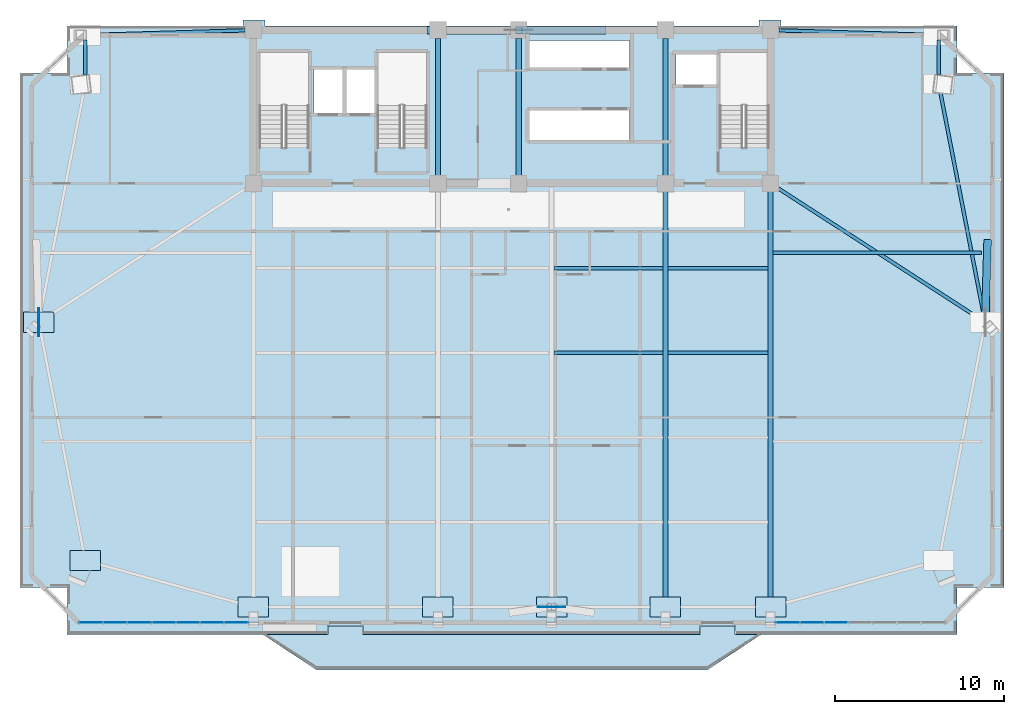
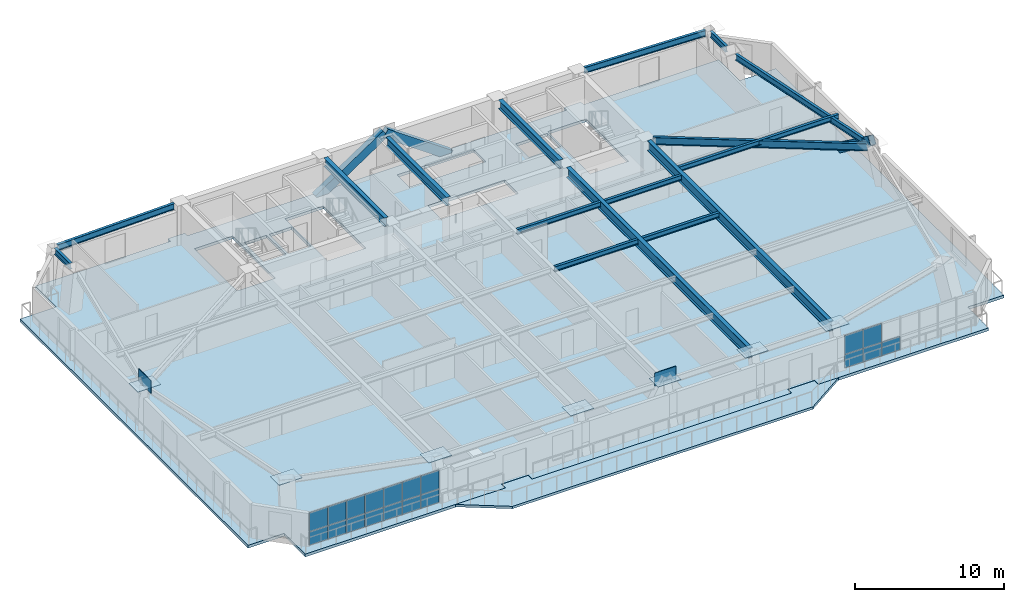
# One storey, part 6 of 16: 28 plates, 16 beams, 3 members, 2 slabs, 2 elements without a shape of their own.
"""IFC4 building model written with IfcOpenShell, lengths in metres."""

from ifc_helpers import new_model, si_unit, direction, frame, origin, origin_2d, place, context, subcontext, project, spatial, polyline, rectangle, hollow_rectangle, i_section, outline, extrude, source, transform, mapped, material, layer, layer_set, material_profile, profile_set, type_object, element, aggregate, save


model = new_model("IFC4")

# Units and contexts
model_context = context("Model", 3, precision=1e-05, world=origin(), true_north=direction((0.0, 1.0)))
body_context = subcontext(model_context, "Body", "Model", "MODEL_VIEW")
ifc_project = project(units=[si_unit("LENGTHUNIT", "METRE"), si_unit("AREAUNIT", "SQUARE_METRE"), si_unit("VOLUMEUNIT", "CUBIC_METRE"), si_unit("PLANEANGLEUNIT", "RADIAN"), si_unit("MASSUNIT", "GRAM", prefix="KILO")], contexts=[model_context])

# Site, building, storey
site_placement = place(None, origin())
site = spatial("IfcSite", under=ifc_project, at=site_placement, CompositionType="ELEMENT")
building_placement = place(site_placement, origin())
building = spatial("IfcBuilding", under=site, at=building_placement, Name="Giltprow Tower", CompositionType="ELEMENT")
storey_placement = place(building_placement, frame((0.0, 0.0, 209.699951171875)))
storey = spatial("IfcBuildingStorey", under=building, at=storey_placement, Name="L53", CompositionType="ELEMENT", Elevation=209.699951171875)

# Beams
ifc_material_1 = material(Name="Structural steel Q355B", Category="steel")
ifc_material_profile_1 = material_profile(ifc_material_1, i_section(OverallWidth=0.300048828125, OverallDepth=0.699951171875, WebThickness=0.012939453125, FlangeThickness=0.02392578125, at=origin_2d()), Name="HN 700x300x13x24")
ifc_profile_set_1 = profile_set([ifc_material_profile_1], Name="Structural steel Q355B")
beam_type_1 = type_object("IfcBeamType", Name="BM-GIRD-HN700", PredefinedType="BEAM", material=ifc_profile_set_1)
shared_shape_1 = source(origin(), body_context, "Body", "SweptSolid", [
    extrude(i_section(OverallWidth=0.300048828125, OverallDepth=0.699951171875, WebThickness=0.012939453125, FlangeThickness=0.02392578125, at=origin_2d()), origin(), (0.0, 0.0, 1.0), 8.1298828125),
])
for number, where, z_axis, x_axis, name in (
    (1, (30.800048828125, 37.93505859375, 2.920166015625), (0.0, 1.0, 0.0), (-1.0, 0.0, 0.0), "L53 Core Tie Girder M1"),
    (2, (35.60009765625, 37.93505859375, 2.920166015625), (0.0, 1.0, 0.0), (-1.0, 0.0, 0.0), "L53 Core Tie Girder M2"),
    (3, (44.300048828125, 37.93505859375, 2.920166015625), (0.0, 1.0, 0.0), (-1.0, 0.0, 0.0), "L53 Core Tie Girder M3"),
):
    element("IfcBeam", number, at=place(storey_placement, frame(where, z_axis=z_axis, x_axis=x_axis)), inside=storey, type_object=beam_type_1, Name=name, PredefinedType="BEAM", context=body_context, shape_type="MappedRepresentation", body=[
        mapped(shared_shape_1, transform((0.0, 0.0, 0.0), x_axis=(1.0, 0.0, 0.0), y_axis=(0.0, 1.0, 0.0), z_axis=(0.0, 0.0, 1.0), scale=1.0)),
    ])
ifc_material_profile_2 = material_profile(ifc_material_1, i_section(OverallWidth=0.199951171875, OverallDepth=0.39990234375, WebThickness=0.008056640625, FlangeThickness=0.012939453125, at=origin_2d()), Name="HN 400x200x8x13")
ifc_profile_set_2 = profile_set([ifc_material_profile_2], Name="Structural steel Q355B")
beam_type_2 = type_object("IfcBeamType", Name="BM-JOIST-HN400", PredefinedType="JOIST", material=ifc_profile_set_2)
shared_shape_2 = source(origin(), body_context, "Body", "SweptSolid", [
    extrude(i_section(OverallWidth=0.199951171875, OverallDepth=0.39990234375, WebThickness=0.008056640625, FlangeThickness=0.012939453125, at=origin_2d()), origin(), (0.0, 0.0, 1.0), 6.4599609375),
])
for number, where, z_axis, x_axis, name in (
    (4, (37.695068359375, 27.39697265625, 3.070068359375), (1.0, 0.0, 0.0), (0.0, 1.0, 0.0), "L53 Composite Floor Joist 3-3"),
    (5, (37.695068359375, 32.424072265625, 3.070068359375), (1.0, 0.0, 0.0), (0.0, 1.0, 0.0), "L53 Composite Floor Joist 4-3"),
):
    element("IfcBeam", number, at=place(storey_placement, frame(where, z_axis=z_axis, x_axis=x_axis)), inside=storey, type_object=beam_type_2, Name=name, PredefinedType="JOIST", context=body_context, shape_type="MappedRepresentation", body=[
        mapped(shared_shape_2, transform((0.0, 0.0, 0.0), x_axis=(1.0, 0.0, 0.0), y_axis=(0.0, 1.0, 0.0), z_axis=(0.0, 0.0, 1.0), scale=1.0)),
    ])
shared_shape_3 = source(origin(), body_context, "Body", "SweptSolid", [
    extrude(i_section(OverallWidth=0.199951171875, OverallDepth=0.39990234375, WebThickness=0.008056640625, FlangeThickness=0.012939453125, at=origin_2d()), origin(), (0.0, 0.0, 1.0), 5.9599609375),
])
for number, where, z_axis, x_axis, name in (
    (6, (44.445068359375, 27.39697265625, 3.070068359375), (1.0, 0.0, 0.0), (0.0, 1.0, 0.0), "L53 Composite Floor Joist 3-4"),
    (7, (44.445068359375, 32.424072265625, 3.070068359375), (1.0, 0.0, 0.0), (0.0, 1.0, 0.0), "L53 Composite Floor Joist 4-4"),
):
    element("IfcBeam", number, at=place(storey_placement, frame(where, z_axis=z_axis, x_axis=x_axis)), inside=storey, type_object=beam_type_2, Name=name, PredefinedType="JOIST", context=body_context, shape_type="MappedRepresentation", body=[
        mapped(shared_shape_3, transform((0.0, 0.0, 0.0), x_axis=(1.0, 0.0, 0.0), y_axis=(0.0, 1.0, 0.0), z_axis=(0.0, 0.0, 1.0), scale=1.0)),
    ])
ifc_material_profile_3 = material_profile(ifc_material_1, i_section(OverallWidth=0.199951171875, OverallDepth=0.5, WebThickness=0.010009765625, FlangeThickness=0.01611328125, at=origin_2d()), Name="HN 500x200x10x16")
ifc_profile_set_3 = profile_set([ifc_material_profile_3], Name="Structural steel Q355B")
beam_type_3 = type_object("IfcBeamType", Name="BM-SPAN-HN500", PredefinedType="SPANDREL", material=ifc_profile_set_3)
shared_shape_4 = source(origin(), body_context, "Body", "SweptSolid", [
    extrude(i_section(OverallWidth=0.199951171875, OverallDepth=0.5, WebThickness=0.010009765625, FlangeThickness=0.01611328125, at=origin_2d()), origin(), (0.0, 0.0, 1.0), 13.582763671875),
])
beam_1_placement = place(storey_placement, frame((63.22802734375, 29.489013671875, 3.02001953125), z_axis=(-0.191281458671, 0.98153522788, 0.0), x_axis=(-0.98153522788, -0.191281458671, 0.0)))
element("IfcBeam", 8, at=beam_1_placement, inside=storey, type_object=beam_type_3, Name="L53 Perimeter Spandrel Beam E_MID-MC_NE", PredefinedType="SPANDREL", context=body_context, shape_type="MappedRepresentation", body=[
    mapped(shared_shape_4, transform((0.0, 0.0, 0.0), x_axis=(1.0, 0.0, 0.0), y_axis=(0.0, 1.0, 0.0), z_axis=(0.0, 0.0, 1.0), scale=1.0)),
])
shared_shape_5 = source(origin(), body_context, "Body", "SweptSolid", [
    extrude(i_section(OverallWidth=0.199951171875, OverallDepth=0.5, WebThickness=0.010009765625, FlangeThickness=0.01611328125, at=origin_2d()), origin(), (0.0, 0.0, 1.0), 2.083984375),
])
for number, where, z_axis, x_axis, name in (
    (9, (60.528076171875, 43.881103515625, 3.02001953125), (0.0, 1.0, 0.0), (-1.0, 0.0, 0.0), "L53 Perimeter Spandrel Beam MC_NE-N_E"),
    (10, (9.8720703125, 45.965087890625, 3.02001953125), (0.0, -1.0, 0.0), (1.0, 0.0, 0.0), "L53 Perimeter Spandrel Beam N_W-MC_NW"),
):
    element("IfcBeam", number, at=place(storey_placement, frame(where, z_axis=z_axis, x_axis=x_axis)), inside=storey, type_object=beam_type_3, Name=name, PredefinedType="SPANDREL", context=body_context, shape_type="MappedRepresentation", body=[
        mapped(shared_shape_5, transform((0.0, 0.0, 0.0), x_axis=(1.0, 0.0, 0.0), y_axis=(0.0, 1.0, 0.0), z_axis=(0.0, 0.0, 1.0), scale=1.0)),
    ])
shared_shape_6 = source(origin(), body_context, "Body", "SweptSolid", [
    extrude(i_section(OverallWidth=0.199951171875, OverallDepth=0.5, WebThickness=0.010009765625, FlangeThickness=0.01611328125, at=origin_2d()), origin(), (0.0, 0.0, 1.0), 9.212158203125),
])
for number, where, z_axis, x_axis, name in (
    (11, (10.156982421875, 46.259033203125, 3.02001953125), (0.999551478387, 0.029947321311, 0.0), (-0.029947321311, 0.999551478387, 0.0), "L53 North Wing Spandrel W"),
    (12, (51.034912109375, 46.534912109375, 3.02001953125), (0.999551478387, -0.029947321311, 0.0), (0.029947321311, 0.999551478387, 0.0), "L53 North Wing Spandrel E"),
):
    element("IfcBeam", number, at=place(storey_placement, frame(where, z_axis=z_axis, x_axis=x_axis)), inside=storey, type_object=beam_type_3, Name=name, PredefinedType="SPANDREL", context=body_context, shape_type="MappedRepresentation", body=[
        mapped(shared_shape_6, transform((0.0, 0.0, 0.0), x_axis=(1.0, 0.0, 0.0), y_axis=(0.0, 1.0, 0.0), z_axis=(0.0, 0.0, 1.0), scale=1.0)),
    ])
ifc_material_profile_4 = material_profile(ifc_material_1, i_section(OverallWidth=0.300048828125, OverallDepth=0.800048828125, WebThickness=0.013916015625, FlangeThickness=0.02587890625, at=origin_2d()), Name="HN 800x300x14x26")
ifc_profile_set_4 = profile_set([ifc_material_profile_4], Name="Structural steel Q355B")
beam_type_4 = type_object("IfcBeamType", Name="BM-GIRD-HN800", PredefinedType="BEAM", material=ifc_profile_set_4)
shared_shape_7 = source(origin(), body_context, "Body", "SweptSolid", [
    extrude(i_section(OverallWidth=0.300048828125, OverallDepth=0.800048828125, WebThickness=0.013916015625, FlangeThickness=0.02587890625, at=origin_2d()), origin(), (0.0, 0.0, 1.0), 24.362060546875),
])
for number, where, z_axis, x_axis, name in (
    (13, (44.300048828125, 12.60302734375, 2.8701171875), (0.0, 1.0, 0.0), (-1.0, 0.0, 0.0), "L53 Primary Lease Girder S3"),
    (14, (50.550048828125, 12.60302734375, 2.8701171875), (0.0, 1.0, 0.0), (-1.0, 0.0, 0.0), "L53 Primary Lease Girder S4"),
):
    element("IfcBeam", number, at=place(storey_placement, frame(where, z_axis=z_axis, x_axis=x_axis)), inside=storey, type_object=beam_type_4, Name=name, PredefinedType="BEAM", context=body_context, shape_type="MappedRepresentation", body=[
        mapped(shared_shape_7, transform((0.0, 0.0, 0.0), x_axis=(1.0, 0.0, 0.0), y_axis=(0.0, 1.0, 0.0), z_axis=(0.0, 0.0, 1.0), scale=1.0)),
    ])
ifc_material_profile_5 = material_profile(ifc_material_1, i_section(OverallWidth=0.199951171875, OverallDepth=0.60009765625, WebThickness=0.010986328125, FlangeThickness=0.01708984375, at=origin_2d()), Name="HN 600x200x11x17")
ifc_profile_set_5 = profile_set([ifc_material_profile_5], Name="Structural steel Q355B")
beam_type_5 = type_object("IfcBeamType", Name="BM-GIRD-HN600", PredefinedType="BEAM", material=ifc_profile_set_5)
shared_shape_8 = source(origin(), body_context, "Body", "SweptSolid", [
    extrude(i_section(OverallWidth=0.199951171875, OverallDepth=0.60009765625, WebThickness=0.010986328125, FlangeThickness=0.01708984375, at=origin_2d()), origin(), (0.0, 0.0, 1.0), 14.396240234375),
])
beam_2_placement = place(storey_placement, frame((63.04296875, 29.364013671875, 2.969970703125), z_axis=(-0.839516009713, 0.543334951422, 0.0), x_axis=(-0.543334951422, -0.839516009713, 0.0)))
element("IfcBeam", 15, at=beam_2_placement, inside=storey, type_object=beam_type_5, Name="L53 East Wing Primary Girder", PredefinedType="BEAM", context=body_context, shape_type="MappedRepresentation", body=[
    mapped(shared_shape_8, transform((0.0, 0.0, 0.0), x_axis=(1.0, 0.0, 0.0), y_axis=(0.0, 1.0, 0.0), z_axis=(0.0, 0.0, 1.0), scale=1.0)),
])
shared_shape_9 = source(origin(), body_context, "Body", "SweptSolid", [
    extrude(i_section(OverallWidth=0.199951171875, OverallDepth=0.39990234375, WebThickness=0.008056640625, FlangeThickness=0.012939453125, at=origin_2d()), origin(), (0.0, 0.0, 1.0), 12.366943359375),
])
beam_3_placement = place(storey_placement, frame((50.695068359375, 33.330078125, 3.070068359375), z_axis=(1.0, 0.0, 0.0), x_axis=(0.0, 1.0, 0.0)))
element("IfcBeam", 16, at=beam_3_placement, inside=storey, type_object=beam_type_2, Name="L53 East Wing Floor Joist 2", PredefinedType="JOIST", context=body_context, shape_type="MappedRepresentation", body=[
    mapped(shared_shape_9, transform((0.0, 0.0, 0.0), x_axis=(1.0, 0.0, 0.0), y_axis=(0.0, 1.0, 0.0), z_axis=(0.0, 0.0, 1.0), scale=1.0)),
])

# Members
ifc_material_2 = material(Name="Structural steel Q420GJC", Category="steel")
ifc_material_profile_6 = material_profile(ifc_material_2, hollow_rectangle(XDim=0.449951171875, YDim=0.699951171875, WallThickness=0.031982421875, at=origin_2d()), Name="RHS 700x450x32")
ifc_profile_set_6 = profile_set([ifc_material_profile_6], Name="Structural steel Q420GJC")
member_type = type_object("IfcMemberType", Name="MBR-MEGA-RHS700", PredefinedType="BRACE", material=ifc_profile_set_6)
shared_shape_10 = source(origin(), body_context, "Body", "SweptSolid", [
    extrude(hollow_rectangle(XDim=0.449951171875, YDim=0.699951171875, WallThickness=0.031982421875, at=origin_2d()), origin(), (0.0, 0.0, 1.0), 6.309814453125),
])
member_1_placement = place(storey_placement, frame((30.35009765625, 46.550048828125, -0.139892578125), z_axis=(0.832050294338, 0.0, 0.554700196225), x_axis=(0.0, 1.0, 0.0)))
element("IfcMember", 17, at=member_1_placement, inside=storey, type_object=member_type, Name="L53 Chevron Mega-Brace N-L", PredefinedType="BRACE", context=body_context, shape_type="MappedRepresentation", body=[
    mapped(shared_shape_10, transform((0.0, 0.0, 0.0), x_axis=(1.0, 0.0, 0.0), y_axis=(0.0, 1.0, 0.0), z_axis=(0.0, 0.0, 1.0), scale=1.0)),
])
shared_shape_11 = source(origin(), body_context, "Body", "SweptSolid", [
    extrude(hollow_rectangle(XDim=0.449951171875, YDim=0.699951171875, WallThickness=0.031982421875, at=origin_2d()), origin(), (0.0, 0.0, 1.0), 6.08935546875),
])
member_2_placement = place(storey_placement, frame((40.5830078125, 46.550048828125, -0.139892578125), z_axis=(-0.818307902219, 0.0, 0.574780112014), x_axis=(0.0, -1.0, 0.0)))
element("IfcMember", 18, at=member_2_placement, inside=storey, type_object=member_type, Name="L53 Chevron Mega-Brace N-R", PredefinedType="BRACE", context=body_context, shape_type="MappedRepresentation", body=[
    mapped(shared_shape_11, transform((0.0, 0.0, 0.0), x_axis=(1.0, 0.0, 0.0), y_axis=(0.0, 1.0, 0.0), z_axis=(0.0, 0.0, 1.0), scale=1.0)),
])
shared_shape_12 = source(origin(), body_context, "Body", "SweptSolid", [
    extrude(hollow_rectangle(XDim=0.449951171875, YDim=0.699951171875, WallThickness=0.031982421875, at=origin_2d()), origin(), (0.0, 0.0, 1.0), 5.859375),
])
member_3_placement = place(storey_placement, frame((63.4208984375, 33.906005859375, 0.0), z_axis=(-0.023708667192, -0.801636288399, 0.597341744918), x_axis=(0.999562936284, -0.029562415445, 0.0)))
element("IfcMember", 19, at=member_3_placement, inside=storey, type_object=member_type, Name="L53 Chevron Mega-Brace E-R", PredefinedType="BRACE", context=body_context, shape_type="MappedRepresentation", body=[
    mapped(shared_shape_12, transform((0.0, 0.0, 0.0), x_axis=(1.0, 0.0, 0.0), y_axis=(0.0, 1.0, 0.0), z_axis=(0.0, 0.0, 1.0), scale=1.0)),
])

# Slabs
ifc_material_3 = material(Name="Concrete C40", Category="concrete")
ifc_layer_1 = layer(ifc_material_3, 0.199951171875, Name="Concrete C40")
ifc_layer_set_1 = layer_set([ifc_layer_1], Name="Concrete C40")
slab_type_1 = type_object("IfcSlabType", Name="SLB-BALC-BRONZE-200", PredefinedType="FLOOR", material=ifc_layer_set_1)
slab_1_placement = place(storey_placement, frame((0.0, 0.0, -0.199951171875)))
element("IfcSlab", 20, at=slab_1_placement, inside=storey, type_object=slab_type_1, Name="L53 Bronze Prow Waterfront Balcony Slab", PredefinedType="FLOOR", context=body_context, shape_type="SweptSolid", body=[
    extrude(outline(polyline([(50.0, 10.68603515625), (46.800048828125, 8.5859375), (23.60009765625, 8.5859375), (20.39990234375, 10.68603515625), (24.280029296875, 10.68603515625), (24.280029296875, 11.18603515625), (26.320068359375, 11.18603515625), (26.320068359375, 10.68603515625), (46.3798828125, 10.68603515625), (46.3798828125, 11.18603515625), (48.419921875, 11.18603515625), (48.419921875, 10.68603515625), (50.0, 10.68603515625)])), origin(), (0.0, 0.0, 1.0), 0.199951171875),
])
ifc_layer_2 = layer(ifc_material_3, 0.22998046875, Name="Concrete C40")
ifc_layer_set_2 = layer_set([ifc_layer_2], Name="Concrete C40")
slab_type_2 = type_object("IfcSlabType", Name="SLB-HTL-230", PredefinedType="FLOOR", material=ifc_layer_set_2)
slab_2_placement = place(storey_placement, frame((0.0, 0.0, -0.22998046875)))
element("IfcSlab", 21, at=slab_2_placement, inside=storey, type_object=slab_type_2, Name="L53 Structural Composite Floor Slab", PredefinedType="FLOOR", context=body_context, shape_type="SweptSolid", body=[
    extrude(outline(polyline([(64.39794921875, 44.0), (64.39794921875, 13.486083984375), (61.597900390625, 13.486083984375), (61.597900390625, 10.68603515625), (48.449951171875, 10.68603515625), (48.449951171875, 11.2060546875), (46.35009765625, 11.2060546875), (46.35009765625, 10.68603515625), (26.35009765625, 10.68603515625), (26.35009765625, 11.2060546875), (24.25, 11.2060546875), (24.25, 10.68603515625), (8.802978515625, 10.68603515625), (8.802978515625, 13.486083984375), (6.0029296875, 13.486083984375), (6.0029296875, 44.0), (8.802978515625, 44.0), (8.802978515625, 46.800048828125), (19.25, 46.800048828125), (19.25, 47.14990234375), (20.550048828125, 47.14990234375), (20.550048828125, 46.800048828125), (49.85009765625, 46.800048828125), (49.85009765625, 47.14990234375), (51.14990234375, 47.14990234375), (51.14990234375, 46.800048828125), (61.597900390625, 46.800048828125), (61.597900390625, 44.0), (64.39794921875, 44.0)]), holes=[polyline([(42.169921875, 41.800048828125), (36.239990234375, 41.800048828125), (36.239990234375, 40.0), (42.169921875, 40.0), (42.169921875, 41.800048828125)]), polyline([(23.159912109375, 39.570068359375), (23.159912109375, 45.25), (20.199951171875, 45.25), (20.199951171875, 39.570068359375), (23.159912109375, 39.570068359375)]), polyline([(30.159912109375, 39.570068359375), (30.159912109375, 45.25), (27.199951171875, 45.25), (27.199951171875, 39.570068359375), (30.159912109375, 39.570068359375)]), polyline([(50.4599609375, 45.25), (47.5, 45.25), (47.5, 39.570068359375), (50.4599609375, 39.570068359375), (50.4599609375, 45.25)]), polyline([(25.169921875, 44.199951171875), (23.449951171875, 44.199951171875), (23.449951171875, 41.60009765625), (25.169921875, 41.60009765625), (25.169921875, 44.199951171875)]), polyline([(27.10009765625, 44.199951171875), (25.35009765625, 44.199951171875), (25.35009765625, 41.60009765625), (27.10009765625, 41.60009765625), (27.10009765625, 44.199951171875)]), polyline([(47.3798828125, 43.300048828125), (47.3798828125, 45.10009765625), (44.919921875, 45.10009765625), (44.919921875, 43.300048828125), (47.3798828125, 43.300048828125)]), polyline([(42.169921875, 44.300048828125), (42.169921875, 45.919921875), (36.239990234375, 45.919921875), (36.239990234375, 44.300048828125), (42.169921875, 44.300048828125)])]), origin(), (0.0, 0.0, 1.0), 0.22998046875),
])

# Plates
plate_type_1 = type_object("IfcPlateType", Name="PLT-NODE-CKN1", PredefinedType="USERDEFINED", material=ifc_material_2)
shared_shape_13 = source(origin(), body_context, "Body", "SweptSolid", [
    extrude(rectangle(XDim=1.800048828125, YDim=1.199951171875, at=origin_2d()), origin(), (0.0, 0.0, 1.0), 0.044921875),
])
for number, where, z_axis, x_axis, name in (
    (22, (9.8720703125, 15.072021484375, 3.2275390625), (0.0, 0.0, 1.0), (1.0, 0.0, 0.0), "CKN1 Column Taper Splice Node L53-MC_SW"),
    (23, (19.85009765625, 12.318115234375, 3.2275390625), (0.0, 0.0, 1.0), (1.0, 0.0, 0.0), "CKN1 Column Taper Splice Node L53-S1"),
    (24, (30.800048828125, 12.318115234375, 3.2275390625), (0.0, 0.0, 1.0), (1.0, 0.0, 0.0), "CKN1 Column Taper Splice Node L53-S2"),
    (25, (37.550048828125, 12.318115234375, 3.2275390625), (0.0, 0.0, 1.0), (1.0, 0.0, 0.0), "CKN1 Column Taper Splice Node L53-S_MID"),
    (26, (44.300048828125, 12.318115234375, 3.2275390625), (0.0, 0.0, 1.0), (1.0, 0.0, 0.0), "CKN1 Column Taper Splice Node L53-S3"),
    (27, (50.550048828125, 12.318115234375, 3.2275390625), (0.0, 0.0, 1.0), (1.0, 0.0, 0.0), "CKN1 Column Taper Splice Node L53-S4"),
    (28, (7.117919921875, 29.208984375, 3.2275390625), (0.0, 0.0, 1.0), (1.0, 0.0, 0.0), "CKN1 Column Taper Splice Node L53-W_MID"),
):
    element("IfcPlate", number, at=place(storey_placement, frame(where, z_axis=z_axis, x_axis=x_axis)), inside=storey, type_object=plate_type_1, Name=name, ObjectType="SPLICE", PredefinedType="USERDEFINED", context=body_context, shape_type="MappedRepresentation", body=[
        mapped(shared_shape_13, transform((0.0, 0.0, 0.0), x_axis=(1.0, 0.0, 0.0), y_axis=(0.0, 1.0, 0.0), z_axis=(0.0, 0.0, 1.0), scale=1.0)),
    ])
plate_type_2 = type_object("IfcPlateType", Name="PLT-NODE-MBN2", PredefinedType="USERDEFINED", material=ifc_material_2)
shared_shape_14 = source(origin(), body_context, "Body", "SweptSolid", [
    extrude(rectangle(XDim=1.64990234375, YDim=0.044921875, at=origin_2d()), origin(), (0.0, 0.0, 1.0), 1.050048828125),
])
for number, where, z_axis, x_axis, name in (
    (29, (37.550048828125, 12.318115234375, 2.97509765625), (0.0, 0.0, 1.0), (1.0, 0.0, 0.0), "Mega-Brace Node L53-S-LB"),
    (30, (7.117919921875, 29.208984375, 2.97509765625), (0.0, 0.0, 1.0), (0.0, 1.0, 0.0), "Mega-Brace Node L53-W-RB"),
):
    element("IfcPlate", number, at=place(storey_placement, frame(where, z_axis=z_axis, x_axis=x_axis)), inside=storey, type_object=plate_type_2, Name=name, ObjectType="GUSSET", PredefinedType="USERDEFINED", context=body_context, shape_type="MappedRepresentation", body=[
        mapped(shared_shape_14, transform((0.0, 0.0, 0.0), x_axis=(1.0, 0.0, 0.0), y_axis=(0.0, 1.0, 0.0), z_axis=(0.0, 0.0, 1.0), scale=1.0)),
    ])

# Curtain wall, plates
ifc_material_4 = material(Name="Anodized bronze", Category="metal")
ifc_layer_3 = layer(ifc_material_4, 0.179931640625, Name="Anodized bronze")
ifc_layer_set_3 = layer_set([ifc_layer_3], Name="Anodized bronze")
curtain_wall_type = type_object("IfcCurtainWallType", Name="CW-HTL-BRONZE", PredefinedType="NOTDEFINED", material=ifc_layer_set_3)
curtain_wall_1_placement = place(storey_placement, origin())
curtain_wall_1 = element("IfcCurtainWall", 31, at=curtain_wall_1_placement, inside=storey, type_object=curtain_wall_type, Name="L53 South Recessed Curtain Wall 1", PredefinedType="NOTDEFINED")
ifc_material_5 = material(Name="Insulated glass", Category="glass")
plate_type_3 = type_object("IfcPlateType", Name="CW-PANEL-IGU-28", PredefinedType="CURTAIN_PANEL", material=ifc_material_5)
shared_shape_15 = source(origin(), body_context, "Body", "SweptSolid", [
    extrude(rectangle(XDim=1.405029296875, YDim=0.028076171875, at=origin_2d()), origin(), (0.0, 0.0, 1.0), 1.0869140625),
])
plate_1_placement = place(storey_placement, frame((10.220947265625, 11.385986328125, 0.0546875), z_axis=(0.0, 0.0, 1.0), x_axis=(1.0, 0.0, 0.0)))
plate_1 = element("IfcPlate", 32, at=plate_1_placement, type_object=plate_type_3, Name="L53 South Recessed Curtain Wall 1 Glazing Panel 1-1", PredefinedType="CURTAIN_PANEL", context=body_context, shape_type="MappedRepresentation", body=[
    mapped(shared_shape_15, transform((0.0, 0.0, 0.0), x_axis=(1.0, 0.0, 0.0), y_axis=(0.0, 1.0, 0.0), z_axis=(0.0, 0.0, 1.0), scale=1.0)),
])
plate_2_placement = place(storey_placement, frame((11.656005859375, 11.385986328125, 0.0546875), z_axis=(0.0, 0.0, 1.0), x_axis=(1.0, 0.0, 0.0)))
plate_2 = element("IfcPlate", 33, at=plate_2_placement, type_object=plate_type_3, Name="L53 South Recessed Curtain Wall 1 Glazing Panel 2-1", PredefinedType="CURTAIN_PANEL", context=body_context, shape_type="MappedRepresentation", body=[
    mapped(shared_shape_15, transform((0.0, 0.0, 0.0), x_axis=(1.0, 0.0, 0.0), y_axis=(0.0, 1.0, 0.0), z_axis=(0.0, 0.0, 1.0), scale=1.0)),
])
plate_3_placement = place(storey_placement, frame((13.091064453125, 11.385986328125, 0.0546875), z_axis=(0.0, 0.0, 1.0), x_axis=(1.0, 0.0, 0.0)))
plate_3 = element("IfcPlate", 34, at=plate_3_placement, type_object=plate_type_3, Name="L53 South Recessed Curtain Wall 1 Glazing Panel 3-1", PredefinedType="CURTAIN_PANEL", context=body_context, shape_type="MappedRepresentation", body=[
    mapped(shared_shape_15, transform((0.0, 0.0, 0.0), x_axis=(1.0, 0.0, 0.0), y_axis=(0.0, 1.0, 0.0), z_axis=(0.0, 0.0, 1.0), scale=1.0)),
])
plate_4_placement = place(storey_placement, frame((14.527099609375, 11.385986328125, 0.0546875), z_axis=(0.0, 0.0, 1.0), x_axis=(1.0, 0.0, 0.0)))
plate_4 = element("IfcPlate", 35, at=plate_4_placement, type_object=plate_type_3, Name="L53 South Recessed Curtain Wall 1 Glazing Panel 4-1", PredefinedType="CURTAIN_PANEL", context=body_context, shape_type="MappedRepresentation", body=[
    mapped(shared_shape_15, transform((0.0, 0.0, 0.0), x_axis=(1.0, 0.0, 0.0), y_axis=(0.0, 1.0, 0.0), z_axis=(0.0, 0.0, 1.0), scale=1.0)),
])
plate_5_placement = place(storey_placement, frame((15.9619140625, 11.385986328125, 0.0546875), z_axis=(0.0, 0.0, 1.0), x_axis=(1.0, 0.0, 0.0)))
plate_5 = element("IfcPlate", 36, at=plate_5_placement, type_object=plate_type_3, Name="L53 South Recessed Curtain Wall 1 Glazing Panel 5-1", PredefinedType="CURTAIN_PANEL", context=body_context, shape_type="MappedRepresentation", body=[
    mapped(shared_shape_15, transform((0.0, 0.0, 0.0), x_axis=(1.0, 0.0, 0.0), y_axis=(0.0, 1.0, 0.0), z_axis=(0.0, 0.0, 1.0), scale=1.0)),
])
plate_6_placement = place(storey_placement, frame((17.39697265625, 11.385986328125, 0.0546875), z_axis=(0.0, 0.0, 1.0), x_axis=(1.0, 0.0, 0.0)))
plate_6 = element("IfcPlate", 37, at=plate_6_placement, type_object=plate_type_3, Name="L53 South Recessed Curtain Wall 1 Glazing Panel 6-1", PredefinedType="CURTAIN_PANEL", context=body_context, shape_type="MappedRepresentation", body=[
    mapped(shared_shape_15, transform((0.0, 0.0, 0.0), x_axis=(1.0, 0.0, 0.0), y_axis=(0.0, 1.0, 0.0), z_axis=(0.0, 0.0, 1.0), scale=1.0)),
])
plate_7_placement = place(storey_placement, frame((18.83203125, 11.385986328125, 0.0546875), z_axis=(0.0, 0.0, 1.0), x_axis=(1.0, 0.0, 0.0)))
plate_7 = element("IfcPlate", 38, at=plate_7_placement, type_object=plate_type_3, Name="L53 South Recessed Curtain Wall 1 Glazing Panel 7-1", PredefinedType="CURTAIN_PANEL", context=body_context, shape_type="MappedRepresentation", body=[
    mapped(shared_shape_15, transform((0.0, 0.0, 0.0), x_axis=(1.0, 0.0, 0.0), y_axis=(0.0, 1.0, 0.0), z_axis=(0.0, 0.0, 1.0), scale=1.0)),
])

curtain_wall_2_placement = place(storey_placement, origin())
curtain_wall_2 = element("IfcCurtainWall", 39, at=curtain_wall_2_placement, inside=storey, type_object=curtain_wall_type, Name="L53 South Recessed Curtain Wall 6", PredefinedType="NOTDEFINED")
plate_8_placement = place(storey_placement, frame((51.568115234375, 11.385986328125, 0.0546875), z_axis=(0.0, 0.0, 1.0), x_axis=(1.0, 0.0, 0.0)))
plate_8 = element("IfcPlate", 40, at=plate_8_placement, type_object=plate_type_3, Name="L53 South Recessed Curtain Wall 6 Glazing Panel 1-1", PredefinedType="CURTAIN_PANEL", context=body_context, shape_type="MappedRepresentation", body=[
    mapped(shared_shape_15, transform((0.0, 0.0, 0.0), x_axis=(1.0, 0.0, 0.0), y_axis=(0.0, 1.0, 0.0), z_axis=(0.0, 0.0, 1.0), scale=1.0)),
])
plate_9_placement = place(storey_placement, frame((53.0029296875, 11.385986328125, 0.0546875), z_axis=(0.0, 0.0, 1.0), x_axis=(1.0, 0.0, 0.0)))
plate_9 = element("IfcPlate", 41, at=plate_9_placement, type_object=plate_type_3, Name="L53 South Recessed Curtain Wall 6 Glazing Panel 2-1", PredefinedType="CURTAIN_PANEL", context=body_context, shape_type="MappedRepresentation", body=[
    mapped(shared_shape_15, transform((0.0, 0.0, 0.0), x_axis=(1.0, 0.0, 0.0), y_axis=(0.0, 1.0, 0.0), z_axis=(0.0, 0.0, 1.0), scale=1.0)),
])
plate_10_placement = place(storey_placement, frame((54.43896484375, 11.385986328125, 0.0546875), z_axis=(0.0, 0.0, 1.0), x_axis=(1.0, 0.0, 0.0)))
plate_10 = element("IfcPlate", 42, at=plate_10_placement, type_object=plate_type_3, Name="L53 South Recessed Curtain Wall 6 Glazing Panel 3-1", PredefinedType="CURTAIN_PANEL", context=body_context, shape_type="MappedRepresentation", body=[
    mapped(shared_shape_15, transform((0.0, 0.0, 0.0), x_axis=(1.0, 0.0, 0.0), y_axis=(0.0, 1.0, 0.0), z_axis=(0.0, 0.0, 1.0), scale=1.0)),
])

# Plate
shared_shape_16 = source(origin(), body_context, "Body", "SweptSolid", [
    extrude(rectangle(XDim=1.405029296875, YDim=0.028076171875, at=origin_2d()), origin(), (0.0, 0.0, 1.0), 1.527099609375),
])
plate_11_placement = place(storey_placement, frame((10.220947265625, 11.385986328125, 1.16845703125), z_axis=(0.0, 0.0, 1.0), x_axis=(1.0, 0.0, 0.0)))
plate_11 = element("IfcPlate", 43, at=plate_11_placement, type_object=plate_type_3, Name="L53 South Recessed Curtain Wall 1 Glazing Panel 1-2", PredefinedType="CURTAIN_PANEL", context=body_context, shape_type="MappedRepresentation", body=[
    mapped(shared_shape_16, transform((0.0, 0.0, 0.0), x_axis=(1.0, 0.0, 0.0), y_axis=(0.0, 1.0, 0.0), z_axis=(0.0, 0.0, 1.0), scale=1.0)),
])

plate_12_placement = place(storey_placement, frame((11.656005859375, 11.385986328125, 1.16845703125), z_axis=(0.0, 0.0, 1.0), x_axis=(1.0, 0.0, 0.0)))
plate_12 = element("IfcPlate", 44, at=plate_12_placement, type_object=plate_type_3, Name="L53 South Recessed Curtain Wall 1 Glazing Panel 2-2", PredefinedType="CURTAIN_PANEL", context=body_context, shape_type="MappedRepresentation", body=[
    mapped(shared_shape_16, transform((0.0, 0.0, 0.0), x_axis=(1.0, 0.0, 0.0), y_axis=(0.0, 1.0, 0.0), z_axis=(0.0, 0.0, 1.0), scale=1.0)),
])

plate_13_placement = place(storey_placement, frame((13.091064453125, 11.385986328125, 1.16845703125), z_axis=(0.0, 0.0, 1.0), x_axis=(1.0, 0.0, 0.0)))
plate_13 = element("IfcPlate", 45, at=plate_13_placement, type_object=plate_type_3, Name="L53 South Recessed Curtain Wall 1 Glazing Panel 3-2", PredefinedType="CURTAIN_PANEL", context=body_context, shape_type="MappedRepresentation", body=[
    mapped(shared_shape_16, transform((0.0, 0.0, 0.0), x_axis=(1.0, 0.0, 0.0), y_axis=(0.0, 1.0, 0.0), z_axis=(0.0, 0.0, 1.0), scale=1.0)),
])

plate_14_placement = place(storey_placement, frame((14.527099609375, 11.385986328125, 1.16845703125), z_axis=(0.0, 0.0, 1.0), x_axis=(1.0, 0.0, 0.0)))
plate_14 = element("IfcPlate", 46, at=plate_14_placement, type_object=plate_type_3, Name="L53 South Recessed Curtain Wall 1 Glazing Panel 4-2", PredefinedType="CURTAIN_PANEL", context=body_context, shape_type="MappedRepresentation", body=[
    mapped(shared_shape_16, transform((0.0, 0.0, 0.0), x_axis=(1.0, 0.0, 0.0), y_axis=(0.0, 1.0, 0.0), z_axis=(0.0, 0.0, 1.0), scale=1.0)),
])

plate_15_placement = place(storey_placement, frame((15.9619140625, 11.385986328125, 1.16845703125), z_axis=(0.0, 0.0, 1.0), x_axis=(1.0, 0.0, 0.0)))
plate_15 = element("IfcPlate", 47, at=plate_15_placement, type_object=plate_type_3, Name="L53 South Recessed Curtain Wall 1 Glazing Panel 5-2", PredefinedType="CURTAIN_PANEL", context=body_context, shape_type="MappedRepresentation", body=[
    mapped(shared_shape_16, transform((0.0, 0.0, 0.0), x_axis=(1.0, 0.0, 0.0), y_axis=(0.0, 1.0, 0.0), z_axis=(0.0, 0.0, 1.0), scale=1.0)),
])

plate_16_placement = place(storey_placement, frame((17.39697265625, 11.385986328125, 1.16845703125), z_axis=(0.0, 0.0, 1.0), x_axis=(1.0, 0.0, 0.0)))
plate_16 = element("IfcPlate", 48, at=plate_16_placement, type_object=plate_type_3, Name="L53 South Recessed Curtain Wall 1 Glazing Panel 6-2", PredefinedType="CURTAIN_PANEL", context=body_context, shape_type="MappedRepresentation", body=[
    mapped(shared_shape_16, transform((0.0, 0.0, 0.0), x_axis=(1.0, 0.0, 0.0), y_axis=(0.0, 1.0, 0.0), z_axis=(0.0, 0.0, 1.0), scale=1.0)),
])

plate_17_placement = place(storey_placement, frame((18.83203125, 11.385986328125, 1.16845703125), z_axis=(0.0, 0.0, 1.0), x_axis=(1.0, 0.0, 0.0)))
plate_17 = element("IfcPlate", 49, at=plate_17_placement, type_object=plate_type_3, Name="L53 South Recessed Curtain Wall 1 Glazing Panel 7-2", PredefinedType="CURTAIN_PANEL", context=body_context, shape_type="MappedRepresentation", body=[
    mapped(shared_shape_16, transform((0.0, 0.0, 0.0), x_axis=(1.0, 0.0, 0.0), y_axis=(0.0, 1.0, 0.0), z_axis=(0.0, 0.0, 1.0), scale=1.0)),
])

aggregate(curtain_wall_1, [plate_1, plate_11, plate_2, plate_12, plate_3, plate_13, plate_4, plate_14, plate_5, plate_15, plate_6, plate_16, plate_7, plate_17])

plate_18_placement = place(storey_placement, frame((51.568115234375, 11.385986328125, 1.16845703125), z_axis=(0.0, 0.0, 1.0), x_axis=(1.0, 0.0, 0.0)))
plate_18 = element("IfcPlate", 50, at=plate_18_placement, type_object=plate_type_3, Name="L53 South Recessed Curtain Wall 6 Glazing Panel 1-2", PredefinedType="CURTAIN_PANEL", context=body_context, shape_type="MappedRepresentation", body=[
    mapped(shared_shape_16, transform((0.0, 0.0, 0.0), x_axis=(1.0, 0.0, 0.0), y_axis=(0.0, 1.0, 0.0), z_axis=(0.0, 0.0, 1.0), scale=1.0)),
])

plate_19_placement = place(storey_placement, frame((53.0029296875, 11.385986328125, 1.16845703125), z_axis=(0.0, 0.0, 1.0), x_axis=(1.0, 0.0, 0.0)))
plate_19 = element("IfcPlate", 51, at=plate_19_placement, type_object=plate_type_3, Name="L53 South Recessed Curtain Wall 6 Glazing Panel 2-2", PredefinedType="CURTAIN_PANEL", context=body_context, shape_type="MappedRepresentation", body=[
    mapped(shared_shape_16, transform((0.0, 0.0, 0.0), x_axis=(1.0, 0.0, 0.0), y_axis=(0.0, 1.0, 0.0), z_axis=(0.0, 0.0, 1.0), scale=1.0)),
])

aggregate(curtain_wall_2, [plate_8, plate_18, plate_9, plate_19, plate_10])

save(model, "model.ifc")
